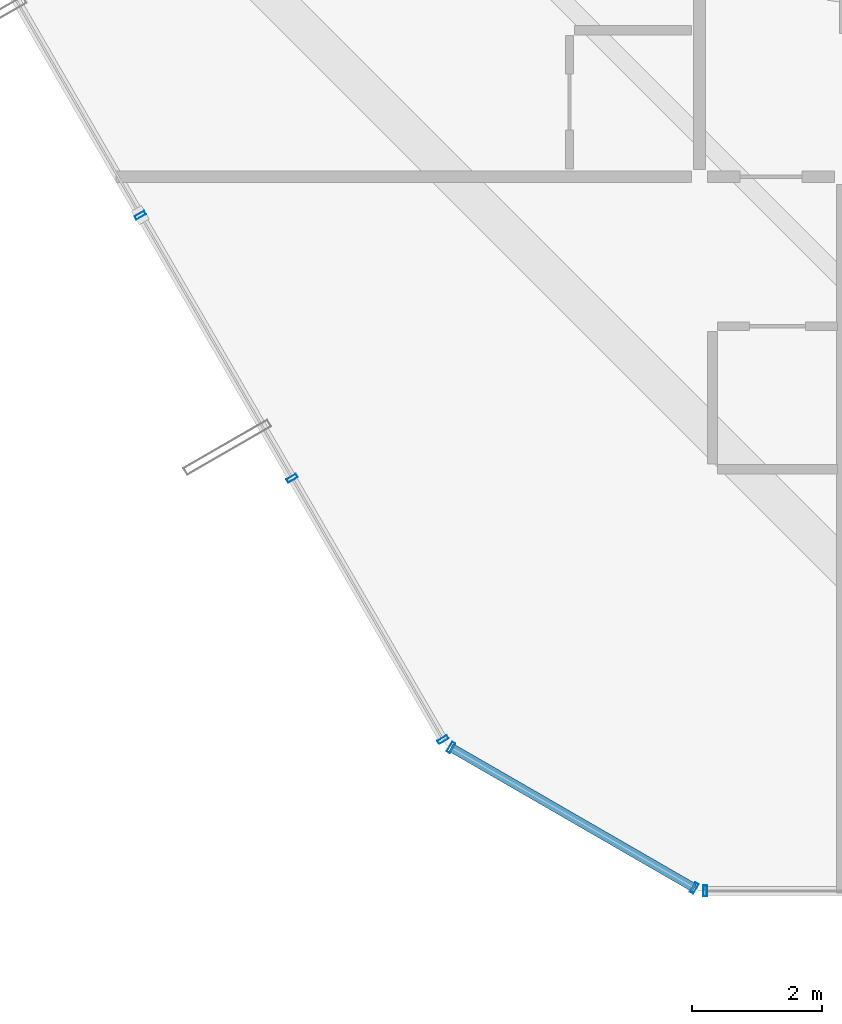
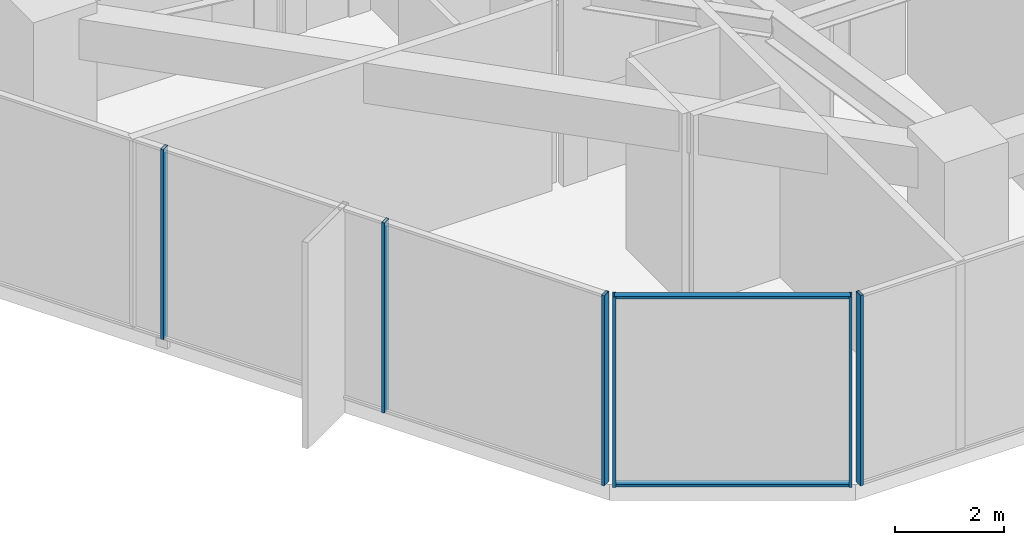
# One storey, part 2 of 39: 8 members, 3 elements without a shape of their own.
"""IFC4 building model written with IfcOpenShell, lengths in metres."""

from ifc_helpers import new_model, si_unit, direction, frame, origin, origin_2d, place, context, subcontext, project, spatial, hollow_rectangle, extrude, source, transform, mapped, material, layer, layer_set, material_profile, profile_set, type_object, element, aggregate, save


model = new_model("IFC4")

# Units and contexts
model_context = context("Model", 3, precision=1e-05, world=origin(), true_north=direction((0.0, 1.0)))
body_context = subcontext(model_context, "Body", "Model", "MODEL_VIEW")
ifc_project = project(units=[si_unit("LENGTHUNIT", "METRE"), si_unit("AREAUNIT", "SQUARE_METRE"), si_unit("VOLUMEUNIT", "CUBIC_METRE"), si_unit("PLANEANGLEUNIT", "RADIAN"), si_unit("MASSUNIT", "GRAM", prefix="KILO")], contexts=[model_context])

# Site, building, storey
site_placement = place(None, origin())
site = spatial("IfcSite", under=ifc_project, at=site_placement, CompositionType="ELEMENT")
building_placement = place(site_placement, origin())
building = spatial("IfcBuilding", under=site, at=building_placement, Name="Veraguas Prism Commons", CompositionType="ELEMENT")
storey_placement = place(building_placement, frame((0.0, 0.0, 22.800048828125)))
storey = spatial("IfcBuildingStorey", under=building, at=storey_placement, Name="L05", CompositionType="ELEMENT", Elevation=22.800048828125)

# Curtain wall, members
ifc_material = material(Name="Anodised aluminium EN AW-6063 T6", Category="aluminium")
ifc_layer = layer(ifc_material, 0.169921875, Name="Unitised Flush Curtain Wall Zone 1", Category="aluminium")
ifc_layer_set = layer_set([ifc_layer], Name="Anodised aluminium EN AW-6063 T6")
curtain_wall_type = type_object("IfcCurtainWallType", Name="Unitised Flush Curtain Wall Zone 1", PredefinedType="NOTDEFINED", material=ifc_layer_set)
curtain_wall_1_placement = place(storey_placement, origin())
curtain_wall_1 = element("IfcCurtainWall", 1, at=curtain_wall_1_placement, inside=storey, type_object=curtain_wall_type, Name="Tower Facade Curtain Wall L05-F4", PredefinedType="NOTDEFINED")
ifc_material_profile_1 = material_profile(ifc_material, hollow_rectangle(XDim=0.06005859375, YDim=0.169921875, WallThickness=0.00390625, at=origin_2d()), Name="AL60X170X4")
ifc_profile_set_1 = profile_set([ifc_material_profile_1], Name="Anodised aluminium EN AW-6063 T6")
member_type_1 = type_object("IfcMemberType", Name="Curtain Wall Mullion Lower AL 60x170x4", PredefinedType="MULLION", material=ifc_profile_set_1)
shared_shape_1 = source(origin(), body_context, "Body", "SweptSolid", [
    extrude(hollow_rectangle(XDim=0.06005859375, YDim=0.169921875, WallThickness=0.00390625, at=origin_2d()), origin(), (0.0, 0.0, 1.0), 4.25),
])
member_1_placement = place(storey_placement, frame((6.0, 13.607666015625, 0.0), z_axis=(0.0, 0.0, 1.0), x_axis=(0.500004534492, -0.866022785779, 0.0)))
member_1 = element("IfcMember", 2, at=member_1_placement, type_object=member_type_1, Name="CW-Z1 Mullion 3", PredefinedType="MULLION", context=body_context, shape_type="MappedRepresentation", body=[
    mapped(shared_shape_1, transform((0.0, 0.0, 0.0), scale=1.0)),
])
member_2_placement = place(storey_placement, frame((8.33544921875, 9.5625, 0.0), z_axis=(0.0, 0.0, 1.0), x_axis=(0.500004534492, -0.866022785779, 0.0)))
member_2 = element("IfcMember", 3, at=member_2_placement, type_object=member_type_1, Name="CW-Z1 Mullion 4", PredefinedType="MULLION", context=body_context, shape_type="MappedRepresentation", body=[
    mapped(shared_shape_1, transform((0.0, 0.0, 0.0), scale=1.0)),
])
member_3_placement = place(storey_placement, frame((10.656005859375, 5.54345703125, 0.0), z_axis=(0.0, 0.0, 1.0), x_axis=(0.500004534492, -0.866022785779, 0.0)))
member_3 = element("IfcMember", 4, at=member_3_placement, type_object=member_type_1, Name="CW-Z1 Mullion 5", PredefinedType="MULLION", context=body_context, shape_type="MappedRepresentation", body=[
    mapped(shared_shape_1, transform((0.0, 0.0, 0.0), scale=1.0)),
])
aggregate(curtain_wall_1, [member_1, member_2, member_3])

# Curtain wall, member
curtain_wall_2_placement = place(storey_placement, origin())
curtain_wall_2 = element("IfcCurtainWall", 5, at=curtain_wall_2_placement, inside=storey, type_object=curtain_wall_type, Name="Tower Facade Curtain Wall L05-F5", PredefinedType="NOTDEFINED")
member_4_placement = place(storey_placement, frame((14.68798828125, 3.21533203125, 0.0), z_axis=(0.0, 0.0, 1.0), x_axis=(1.0, 0.0, 0.0)))
member_4 = element("IfcMember", 6, at=member_4_placement, type_object=member_type_1, Name="CW-Z1 Mullion 1", PredefinedType="MULLION", context=body_context, shape_type="MappedRepresentation", body=[
    mapped(shared_shape_1, transform((0.0, 0.0, 0.0), scale=1.0)),
])
aggregate(curtain_wall_2, [member_4])

# Curtain wall, members
curtain_wall_3_placement = place(storey_placement, origin())
curtain_wall_3 = element("IfcCurtainWall", 7, at=curtain_wall_3_placement, inside=storey, type_object=curtain_wall_type, Name="Chamfer Curtain Wall L05-C5", PredefinedType="NOTDEFINED")
member_5_placement = place(storey_placement, frame((10.779052734375, 5.42041015625, 0.0), z_axis=(0.0, 0.0, 1.0), x_axis=(0.866020167749, -0.500009068969, 0.0)))
member_5 = element("IfcMember", 8, at=member_5_placement, type_object=member_type_1, Name="CW-Z1 Mullion 1", PredefinedType="MULLION", context=body_context, shape_type="MappedRepresentation", body=[
    mapped(shared_shape_1, transform((0.0, 0.0, 0.0), scale=1.0)),
])
member_6_placement = place(storey_placement, frame((14.52001953125, 3.260498046875, 0.0), z_axis=(0.0, 0.0, 1.0), x_axis=(0.866020167749, -0.500009068969, 0.0)))
member_6 = element("IfcMember", 9, at=member_6_placement, type_object=member_type_1, Name="CW-Z1 Mullion 2", PredefinedType="MULLION", context=body_context, shape_type="MappedRepresentation", body=[
    mapped(shared_shape_1, transform((0.0, 0.0, 0.0), scale=1.0)),
])
ifc_material_profile_2 = material_profile(ifc_material, hollow_rectangle(XDim=0.054931640625, YDim=0.135009765625, WallThickness=0.0029296875, at=origin_2d()), Name="AL55X135X3")
ifc_profile_set_2 = profile_set([ifc_material_profile_2], Name="Anodised aluminium EN AW-6063 T6")
member_type_2 = type_object("IfcMemberType", Name="Curtain Wall Transom Standard AL 55x135x3", PredefinedType="USERDEFINED", material=ifc_profile_set_2)
shared_shape_2 = source(origin(), body_context, "Body", "SweptSolid", [
    extrude(hollow_rectangle(XDim=0.054931640625, YDim=0.135009765625, WallThickness=0.0029296875, at=origin_2d()), origin(), (0.0, 0.0, 1.0), 4.31982421875),
])
member_7_placement = place(storey_placement, frame((10.779052734375, 5.42041015625, 0.02734375), z_axis=(0.866018996109, -0.500011098256, 0.0), x_axis=(0.0, 0.0, 1.0)))
member_7 = element("IfcMember", 10, at=member_7_placement, type_object=member_type_2, Name="CW-Z1 Transom 1", ObjectType="TRANSOM", PredefinedType="USERDEFINED", context=body_context, shape_type="MappedRepresentation", body=[
    mapped(shared_shape_2, transform((0.0, 0.0, 0.0), scale=1.0)),
])
member_8_placement = place(storey_placement, frame((10.779052734375, 5.42041015625, 4.222412109375), z_axis=(0.866018996109, -0.500011098256, 0.0), x_axis=(0.0, 0.0, 1.0)))
member_8 = element("IfcMember", 11, at=member_8_placement, type_object=member_type_2, Name="CW-Z1 Transom 2", ObjectType="TRANSOM", PredefinedType="USERDEFINED", context=body_context, shape_type="MappedRepresentation", body=[
    mapped(shared_shape_2, transform((0.0, 0.0, 0.0), scale=1.0)),
])
aggregate(curtain_wall_3, [member_5, member_6, member_7, member_8])

save(model, "model.ifc")
